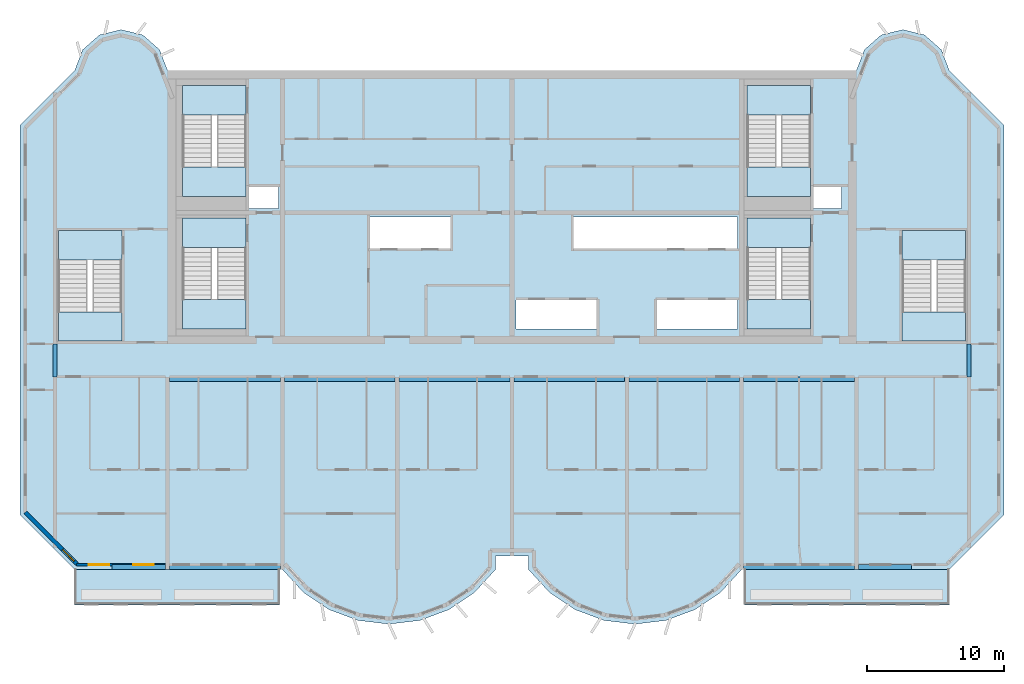
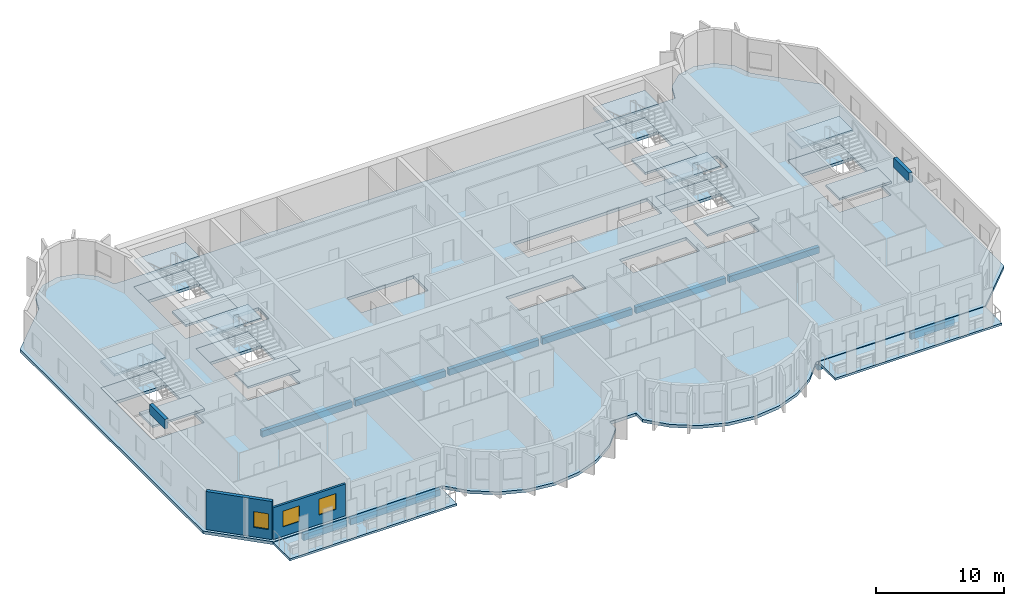
# One storey, part 1 of 11: 21 slabs, 12 beams, 3 windows, 2 walls, 3 openings, 6 elements without a shape of their own.
"""IFC4 building model written with IfcOpenShell, lengths in metres."""

from ifc_helpers import new_model, si_unit, direction, frame, frame_2d, origin, origin_2d, place, context, subcontext, project, spatial, polyline, rectangle, outline, extrude, source, transform, mapped, material, layer, layer_set, material_profile, profile_set, type_object, element, fill, aggregate, save


model = new_model("IFC4")

# Units and contexts
model_context = context("Model", 3, precision=1e-05, world=origin(), true_north=direction((0.0, 1.0)))
body_context = subcontext(model_context, "Body", "Model", "MODEL_VIEW")
ifc_project = project(units=[si_unit("LENGTHUNIT", "METRE"), si_unit("AREAUNIT", "SQUARE_METRE"), si_unit("VOLUMEUNIT", "CUBIC_METRE"), si_unit("PLANEANGLEUNIT", "RADIAN"), si_unit("MASSUNIT", "GRAM", prefix="KILO")], contexts=[model_context])

# Site, building, storey
site_placement = place(None, origin())
site = spatial("IfcSite", under=ifc_project, at=site_placement, CompositionType="ELEMENT")
building_placement = place(site_placement, origin())
building = spatial("IfcBuilding", under=site, at=building_placement, Name="Vanashikhar Sky Hotel", CompositionType="ELEMENT")
storey_placement = place(building_placement, frame((0.0, 0.0, 249.10009765625)))
storey = spatial("IfcBuildingStorey", under=building, at=storey_placement, Name="L60", CompositionType="ELEMENT", Elevation=249.10009765625)

# Beams
ifc_material_1 = material(Name="Concrete M50", Category="concrete")
ifc_material_profile_1 = material_profile(ifc_material_1, rectangle(XDim=0.300048828125, YDim=0.89990234375, at=origin_2d()))
ifc_profile_set_1 = profile_set([ifc_material_profile_1], Name="RC 300x900 beam Concrete M50")
beam_type_1 = type_object("IfcBeamType", Name="RC 300x900 beam Concrete M50", PredefinedType="LINTEL", material=ifc_profile_set_1)
shared_shape_1 = source(origin(), body_context, "Body", "SweptSolid", [
    extrude(rectangle(XDim=0.300048828125, YDim=0.89990234375, at=origin_2d()), origin(), (0.0, 0.0, 1.0), 2.39990234375),
])
for number, where, z_axis, x_axis, name in (
    (1, (16.949951171875, 19.60009765625, 3.169921875), (0.0, 1.0, 0.0), (-1.0, 0.0, 0.0), "LB-L60-XW03"),
    (2, (83.85009765625, 19.60009765625, 3.169921875), (0.0, 1.0, 0.0), (-1.0, 0.0, 0.0), "LB-L60-XW11"),
):
    element("IfcBeam", number, at=place(storey_placement, frame(where, z_axis=z_axis, x_axis=x_axis)), inside=storey, type_object=beam_type_1, Name=name, PredefinedType="LINTEL", context=body_context, shape_type="MappedRepresentation", body=[
        mapped(shared_shape_1, transform((0.0, 0.0, 0.0), scale=1.0)),
    ])
ifc_material_profile_2 = material_profile(ifc_material_1, rectangle(XDim=0.35009765625, YDim=0.60009765625, at=origin_2d()))
ifc_profile_set_2 = profile_set([ifc_material_profile_2], Name="RC 350x600 beam Concrete M50")
beam_type_2 = type_object("IfcBeamType", Name="RC 350x600 beam Concrete M50", PredefinedType="SPANDREL", material=ifc_profile_set_2)
shared_shape_2 = source(origin(), body_context, "Body", "SweptSolid", [
    extrude(rectangle(XDim=0.35009765625, YDim=0.60009765625, at=origin_2d()), origin(), (0.0, 0.0, 1.0), 8.099853515625),
])
for number, where, z_axis, x_axis, name in (
    (3, (25.35009765625, 5.675048828125, -0.580078125), (1.0, 0.0, 0.0), (0.0, 1.0, 0.0), "EB-L60-F01"),
    (4, (67.35009765625, 5.675048828125, -0.580078125), (1.0, 0.0, 0.0), (0.0, 1.0, 0.0), "EB-L60-F03"),
    (5, (25.35009765625, 19.425048828125, -0.580078125), (1.0, 0.0, 0.0), (0.0, 1.0, 0.0), "CB-L60-01"),
    (6, (50.550048828125, 19.425048828125, -0.580078125), (1.0, 0.0, 0.0), (0.0, 1.0, 0.0), "CB-L60-04"),
    (7, (67.35009765625, 19.425048828125, -0.580078125), (1.0, 0.0, 0.0), (0.0, 1.0, 0.0), "CB-L60-06"),
):
    element("IfcBeam", number, at=place(storey_placement, frame(where, z_axis=z_axis, x_axis=x_axis)), inside=storey, type_object=beam_type_2, Name=name, PredefinedType="SPANDREL", context=body_context, shape_type="MappedRepresentation", body=[
        mapped(shared_shape_2, transform((0.0, 0.0, 0.0), scale=1.0)),
    ])
ifc_material_profile_3 = material_profile(ifc_material_1, rectangle(XDim=0.35009765625, YDim=0.60009765625, at=origin_2d()))
ifc_profile_set_3 = profile_set([ifc_material_profile_3], Name="RC 350x600 cantilever beam Concrete M50")
beam_type_3 = type_object("IfcBeamType", Name="RC 350x600 cantilever beam Concrete M50", PredefinedType="SPANDREL", material=ifc_profile_set_3)
shared_shape_3 = source(origin(), body_context, "Body", "SweptSolid", [
    extrude(rectangle(XDim=0.35009765625, YDim=0.60009765625, at=origin_2d()), origin(), (0.0, 0.0, 1.0), 3.900146484375),
])
beam_1_placement = place(storey_placement, frame((21.14990234375, 5.675048828125, -0.580078125), z_axis=(1.0, 0.0, 0.0), x_axis=(0.0, 1.0, 0.0)))
element("IfcBeam", 8, at=beam_1_placement, inside=storey, type_object=beam_type_3, Name="EB-L60-F02", PredefinedType="SPANDREL", context=body_context, shape_type="MappedRepresentation", body=[
    mapped(shared_shape_3, transform((0.0, 0.0, 0.0), scale=1.0)),
])
shared_shape_4 = source(origin(), body_context, "Body", "SweptSolid", [
    extrude(rectangle(XDim=0.35009765625, YDim=0.60009765625, at=origin_2d()), origin(), (0.0, 0.0, 1.0), 3.89990234375),
])
beam_2_placement = place(storey_placement, frame((75.75, 5.675048828125, -0.580078125), z_axis=(1.0, 0.0, 0.0), x_axis=(0.0, 1.0, 0.0)))
element("IfcBeam", 9, at=beam_2_placement, inside=storey, type_object=beam_type_3, Name="EB-L60-F04", PredefinedType="SPANDREL", context=body_context, shape_type="MappedRepresentation", body=[
    mapped(shared_shape_4, transform((0.0, 0.0, 0.0), scale=1.0)),
])
shared_shape_5 = source(origin(), body_context, "Body", "SweptSolid", [
    extrude(rectangle(XDim=0.35009765625, YDim=0.60009765625, at=origin_2d()), origin(), (0.0, 0.0, 1.0), 8.10009765625),
])
for number, where, z_axis, x_axis, name in (
    (10, (33.75, 19.425048828125, -0.580078125), (1.0, 0.0, 0.0), (0.0, 1.0, 0.0), "CB-L60-02"),
    (11, (42.14990234375, 19.425048828125, -0.580078125), (1.0, 0.0, 0.0), (0.0, 1.0, 0.0), "CB-L60-03"),
    (12, (58.949951171875, 19.425048828125, -0.580078125), (1.0, 0.0, 0.0), (0.0, 1.0, 0.0), "CB-L60-05"),
):
    element("IfcBeam", number, at=place(storey_placement, frame(where, z_axis=z_axis, x_axis=x_axis)), inside=storey, type_object=beam_type_2, Name=name, PredefinedType="SPANDREL", context=body_context, shape_type="MappedRepresentation", body=[
        mapped(shared_shape_5, transform((0.0, 0.0, 0.0), scale=1.0)),
    ])

# Slabs
ifc_material_2 = material(Name="Concrete M40", Category="concrete")
ifc_layer_1 = layer(ifc_material_2, 0.280029296875)
ifc_layer_set_1 = layer_set([ifc_layer_1], Name="Floor slab 280 mm")
slab_type_1 = type_object("IfcSlabType", Name="Floor slab 280 mm", PredefinedType="FLOOR", material=ifc_layer_set_1)
shared_shape_6 = source(origin(), body_context, "Body", "SweptSolid", [
    extrude(outline(polyline([(49.199951171875, 5.5), (49.199951171875, 6.5), (51.60009765625, 6.5), (51.60009765625, 5.5), (53.133056640625, 3.825927734375), (55.01708984375, 2.55810546875), (57.14599609375, 1.76806640625), (59.39990234375, 1.5), (61.654052734375, 1.76806640625), (63.782958984375, 2.55810546875), (65.6669921875, 3.825927734375), (67.199951171875, 5.5), (82.39990234375, 5.5), (86.39990234375, 9.5), (86.39990234375, 38.0), (82.39990234375, 42.0), (81.81494140625, 43.527099609375), (80.587890625, 44.610107421875), (79.0, 45.0), (77.412109375, 44.610107421875), (76.18505859375, 43.527099609375), (75.60009765625, 42.0), (25.199951171875, 42.0), (24.614990234375, 43.527099609375), (23.387939453125, 44.610107421875), (21.800048828125, 45.0), (20.2119140625, 44.610107421875), (18.985107421875, 43.527099609375), (18.39990234375, 42.0), (14.39990234375, 38.0), (14.39990234375, 9.5), (18.39990234375, 5.5), (33.60009765625, 5.5), (35.133056640625, 3.825927734375), (37.01708984375, 2.55810546875), (39.14599609375, 1.76806640625), (41.39990234375, 1.5), (43.654052734375, 1.76806640625), (45.782958984375, 2.55810546875), (47.6669921875, 3.825927734375), (49.199951171875, 5.5)]), holes=[polyline([(33.300048828125, 33.60009765625), (31.050048828125, 33.60009765625), (31.050048828125, 31.89990234375), (33.300048828125, 31.89990234375), (33.300048828125, 33.60009765625)]), polyline([(39.89990234375, 31.300048828125), (39.89990234375, 29.0), (45.89990234375, 29.0), (45.89990234375, 31.300048828125), (39.89990234375, 31.300048828125)]), polyline([(50.699951171875, 25.199951171875), (50.699951171875, 23.10009765625), (56.699951171875, 23.10009765625), (56.699951171875, 25.199951171875), (50.699951171875, 25.199951171875)]), polyline([(66.89990234375, 29.0), (66.89990234375, 31.300048828125), (54.89990234375, 31.300048828125), (54.89990234375, 29.0), (66.89990234375, 29.0)]), polyline([(60.89990234375, 25.199951171875), (60.89990234375, 23.10009765625), (66.89990234375, 23.10009765625), (66.89990234375, 25.199951171875), (60.89990234375, 25.199951171875)]), polyline([(74.5, 33.60009765625), (72.35009765625, 33.60009765625), (72.35009765625, 31.89990234375), (74.5, 31.89990234375), (74.5, 33.60009765625)]), polyline([(30.949951171875, 23.10009765625), (30.949951171875, 31.199951171875), (26.300048828125, 31.199951171875), (26.300048828125, 23.10009765625), (30.949951171875, 23.10009765625)]), polyline([(72.25, 23.10009765625), (72.25, 31.199951171875), (67.60009765625, 31.199951171875), (67.60009765625, 23.10009765625), (72.25, 23.10009765625)]), polyline([(30.949951171875, 32.800048828125), (30.949951171875, 40.89990234375), (26.300048828125, 40.89990234375), (26.300048828125, 32.800048828125), (30.949951171875, 32.800048828125)]), polyline([(72.25, 32.800048828125), (72.25, 40.89990234375), (67.60009765625, 40.89990234375), (67.60009765625, 32.800048828125), (72.25, 32.800048828125)]), polyline([(83.60009765625, 22.199951171875), (83.60009765625, 30.300048828125), (78.949951171875, 30.300048828125), (78.949951171875, 22.199951171875), (83.60009765625, 22.199951171875)]), polyline([(21.85009765625, 22.199951171875), (21.85009765625, 30.300048828125), (17.199951171875, 30.300048828125), (17.199951171875, 22.199951171875), (21.85009765625, 22.199951171875)])]), origin(), (0.0, 0.0, 1.0), 0.280029296875),
])
slab_1_placement = place(storey_placement, frame((0.0, 0.0, -0.280029296875)))
element("IfcSlab", 13, at=slab_1_placement, inside=storey, type_object=slab_type_1, Name="Floor slab L60", PredefinedType="FLOOR", context=body_context, shape_type="MappedRepresentation", body=[
    mapped(shared_shape_6, transform((0.0, 0.0, 0.0), scale=1.0)),
])
ifc_layer_2 = layer(ifc_material_2, 0.199951171875)
ifc_layer_set_2 = layer_set([ifc_layer_2], Name="Balcony slab 200 mm")
slab_type_2 = type_object("IfcSlabType", Name="Balcony slab 200 mm", PredefinedType="USERDEFINED", material=ifc_layer_set_2)
shared_shape_7 = source(origin(), body_context, "Body", "SweptSolid", [
    extrude(outline(polyline([(18.39990234375, 2.89990234375), (33.39990234375, 2.89990234375), (33.39990234375, 5.5), (18.39990234375, 5.5), (18.39990234375, 2.89990234375)])), origin(), (0.0, 0.0, 1.0), 0.199951171875),
])
slab_2_placement = place(storey_placement, frame((0.0, 0.0, -0.25)))
element("IfcSlab", 14, at=slab_2_placement, inside=storey, type_object=slab_type_2, Name="Balcony slab L60 1", ObjectType="BALCONY", PredefinedType="USERDEFINED", context=body_context, shape_type="MappedRepresentation", body=[
    mapped(shared_shape_7, transform((0.0, 0.0, 0.0), scale=1.0)),
])
shared_shape_8 = source(origin(), body_context, "Body", "SweptSolid", [
    extrude(outline(polyline([(67.39990234375, 2.89990234375), (82.39990234375, 2.89990234375), (82.39990234375, 5.5), (67.39990234375, 5.5), (67.39990234375, 2.89990234375)])), origin(), (0.0, 0.0, 1.0), 0.199951171875),
])
slab_3_placement = place(storey_placement, frame((0.0, 0.0, -0.25)))
element("IfcSlab", 15, at=slab_3_placement, inside=storey, type_object=slab_type_2, Name="Balcony slab L60 2", ObjectType="BALCONY", PredefinedType="USERDEFINED", context=body_context, shape_type="MappedRepresentation", body=[
    mapped(shared_shape_8, transform((0.0, 0.0, 0.0), scale=1.0)),
])

# Stair, slabs
stair_type = type_object("IfcStairType", Name="Exit stair 2150", PredefinedType="DOUBLE_RETURN_STAIR", material=ifc_material_2)
stair_1_placement = place(storey_placement, origin())
stair_1 = element("IfcStair", 16, at=stair_1_placement, inside=storey, type_object=stair_type, Name="L60 Exit stair 1", PredefinedType="DOUBLE_RETURN_STAIR")
ifc_layer_3 = layer(ifc_material_2, 0.199951171875)
ifc_layer_set_3 = layer_set([ifc_layer_3], Name="Stair landing 200")
slab_type_3 = type_object("IfcSlabType", Name="Stair landing 200", PredefinedType="LANDING", material=ifc_layer_set_3)
shared_shape_9 = source(origin(), body_context, "Body", "SweptSolid", [
    extrude(outline(polyline([(30.949951171875, 29.050048828125), (30.949951171875, 31.199951171875), (26.300048828125, 31.199951171875), (26.300048828125, 29.050048828125), (30.949951171875, 29.050048828125)])), origin(), (0.0, 0.0, 1.0), 0.199951171875),
])
slab_4_placement = place(storey_placement, frame((0.0, 0.0, 2.39990234375)))
slab_4 = element("IfcSlab", 17, at=slab_4_placement, type_object=slab_type_3, Name="ST-C1 landing 2", PredefinedType="LANDING", context=body_context, shape_type="MappedRepresentation", body=[
    mapped(shared_shape_9, transform((0.0, 0.0, 0.0), scale=1.0)),
])
shared_shape_10 = source(origin(), body_context, "Body", "SweptSolid", [
    extrude(outline(polyline([(30.949951171875, 23.10009765625), (30.949951171875, 25.25), (26.300048828125, 25.25), (26.300048828125, 23.10009765625), (30.949951171875, 23.10009765625)])), origin(), (0.0, 0.0, 1.0), 0.199951171875),
])
slab_5_placement = place(storey_placement, frame((0.0, 0.0, 1.099853515625)))
slab_5 = element("IfcSlab", 18, at=slab_5_placement, type_object=slab_type_3, Name="ST-C1 landing 1", PredefinedType="LANDING", context=body_context, shape_type="MappedRepresentation", body=[
    mapped(shared_shape_10, transform((0.0, 0.0, 0.0), scale=1.0)),
])
aggregate(stair_1, [slab_5, slab_4])

# Slab
ifc_layer_4 = layer(ifc_material_2, 0.280029296875)
ifc_layer_set_4 = layer_set([ifc_layer_4], Name="Stair floor landing 280")
slab_type_4 = type_object("IfcSlabType", Name="Stair floor landing 280", PredefinedType="LANDING", material=ifc_layer_set_4)
shared_shape_11 = source(origin(), body_context, "Body", "SweptSolid", [
    extrude(outline(polyline([(30.949951171875, 29.050048828125), (30.949951171875, 31.199951171875), (26.300048828125, 31.199951171875), (26.300048828125, 29.050048828125), (30.949951171875, 29.050048828125)])), origin(), (0.0, 0.0, 1.0), 0.280029296875),
])
slab_6_placement = place(storey_placement, frame((0.0, 0.0, -0.280029296875)))
element("IfcSlab", 19, at=slab_6_placement, inside=storey, type_object=slab_type_4, Name="Exit stair 1 floor landing", PredefinedType="LANDING", context=body_context, shape_type="MappedRepresentation", body=[
    mapped(shared_shape_11, transform((0.0, 0.0, 0.0), scale=1.0)),
])

# Stair, slabs
stair_2_placement = place(storey_placement, origin())
stair_2 = element("IfcStair", 20, at=stair_2_placement, inside=storey, type_object=stair_type, Name="L60 Exit stair 2", PredefinedType="DOUBLE_RETURN_STAIR")
shared_shape_12 = source(origin(), body_context, "Body", "SweptSolid", [
    extrude(outline(polyline([(72.25, 29.050048828125), (72.25, 31.199951171875), (67.60009765625, 31.199951171875), (67.60009765625, 29.050048828125), (72.25, 29.050048828125)])), origin(), (0.0, 0.0, 1.0), 0.199951171875),
])
slab_7_placement = place(storey_placement, frame((0.0, 0.0, 2.39990234375)))
slab_7 = element("IfcSlab", 21, at=slab_7_placement, type_object=slab_type_3, Name="ST-C2 landing 2", PredefinedType="LANDING", context=body_context, shape_type="MappedRepresentation", body=[
    mapped(shared_shape_12, transform((0.0, 0.0, 0.0), scale=1.0)),
])
shared_shape_13 = source(origin(), body_context, "Body", "SweptSolid", [
    extrude(outline(polyline([(72.25, 23.10009765625), (72.25, 25.25), (67.60009765625, 25.25), (67.60009765625, 23.10009765625), (72.25, 23.10009765625)])), origin(), (0.0, 0.0, 1.0), 0.199951171875),
])
slab_8_placement = place(storey_placement, frame((0.0, 0.0, 1.099853515625)))
slab_8 = element("IfcSlab", 22, at=slab_8_placement, type_object=slab_type_3, Name="ST-C2 landing 1", PredefinedType="LANDING", context=body_context, shape_type="MappedRepresentation", body=[
    mapped(shared_shape_13, transform((0.0, 0.0, 0.0), scale=1.0)),
])
aggregate(stair_2, [slab_8, slab_7])

# Slab
shared_shape_14 = source(origin(), body_context, "Body", "SweptSolid", [
    extrude(outline(polyline([(72.25, 29.050048828125), (72.25, 31.199951171875), (67.60009765625, 31.199951171875), (67.60009765625, 29.050048828125), (72.25, 29.050048828125)])), origin(), (0.0, 0.0, 1.0), 0.280029296875),
])
slab_9_placement = place(storey_placement, frame((0.0, 0.0, -0.280029296875)))
element("IfcSlab", 23, at=slab_9_placement, inside=storey, type_object=slab_type_4, Name="Exit stair 2 floor landing", PredefinedType="LANDING", context=body_context, shape_type="MappedRepresentation", body=[
    mapped(shared_shape_14, transform((0.0, 0.0, 0.0), scale=1.0)),
])

# Stair, slabs
stair_3_placement = place(storey_placement, origin())
stair_3 = element("IfcStair", 24, at=stair_3_placement, inside=storey, type_object=stair_type, Name="L60 Exit stair 3", PredefinedType="DOUBLE_RETURN_STAIR")
shared_shape_15 = source(origin(), body_context, "Body", "SweptSolid", [
    extrude(outline(polyline([(21.85009765625, 28.14990234375), (21.85009765625, 30.300048828125), (17.199951171875, 30.300048828125), (17.199951171875, 28.14990234375), (21.85009765625, 28.14990234375)])), origin(), (0.0, 0.0, 1.0), 0.199951171875),
])
slab_10_placement = place(storey_placement, frame((0.0, 0.0, 2.39990234375)))
slab_10 = element("IfcSlab", 25, at=slab_10_placement, type_object=slab_type_3, Name="ST-W landing 2", PredefinedType="LANDING", context=body_context, shape_type="MappedRepresentation", body=[
    mapped(shared_shape_15, transform((0.0, 0.0, 0.0), scale=1.0)),
])
shared_shape_16 = source(origin(), body_context, "Body", "SweptSolid", [
    extrude(outline(polyline([(21.85009765625, 22.199951171875), (21.85009765625, 24.35009765625), (17.199951171875, 24.35009765625), (17.199951171875, 22.199951171875), (21.85009765625, 22.199951171875)])), origin(), (0.0, 0.0, 1.0), 0.199951171875),
])
slab_11_placement = place(storey_placement, frame((0.0, 0.0, 1.099853515625)))
slab_11 = element("IfcSlab", 26, at=slab_11_placement, type_object=slab_type_3, Name="ST-W landing 1", PredefinedType="LANDING", context=body_context, shape_type="MappedRepresentation", body=[
    mapped(shared_shape_16, transform((0.0, 0.0, 0.0), scale=1.0)),
])
aggregate(stair_3, [slab_11, slab_10])

# Slab
shared_shape_17 = source(origin(), body_context, "Body", "SweptSolid", [
    extrude(outline(polyline([(21.85009765625, 28.14990234375), (21.85009765625, 30.300048828125), (17.199951171875, 30.300048828125), (17.199951171875, 28.14990234375), (21.85009765625, 28.14990234375)])), origin(), (0.0, 0.0, 1.0), 0.280029296875),
])
slab_12_placement = place(storey_placement, frame((0.0, 0.0, -0.280029296875)))
element("IfcSlab", 27, at=slab_12_placement, inside=storey, type_object=slab_type_4, Name="Exit stair 3 floor landing", PredefinedType="LANDING", context=body_context, shape_type="MappedRepresentation", body=[
    mapped(shared_shape_17, transform((0.0, 0.0, 0.0), scale=1.0)),
])

# Stair, slabs
stair_4_placement = place(storey_placement, origin())
stair_4 = element("IfcStair", 28, at=stair_4_placement, inside=storey, type_object=stair_type, Name="L60 Exit stair 4", PredefinedType="DOUBLE_RETURN_STAIR")
shared_shape_18 = source(origin(), body_context, "Body", "SweptSolid", [
    extrude(outline(polyline([(83.60009765625, 28.14990234375), (83.60009765625, 30.300048828125), (78.949951171875, 30.300048828125), (78.949951171875, 28.14990234375), (83.60009765625, 28.14990234375)])), origin(), (0.0, 0.0, 1.0), 0.199951171875),
])
slab_13_placement = place(storey_placement, frame((0.0, 0.0, 2.39990234375)))
slab_13 = element("IfcSlab", 29, at=slab_13_placement, type_object=slab_type_3, Name="ST-E landing 2", PredefinedType="LANDING", context=body_context, shape_type="MappedRepresentation", body=[
    mapped(shared_shape_18, transform((0.0, 0.0, 0.0), scale=1.0)),
])
shared_shape_19 = source(origin(), body_context, "Body", "SweptSolid", [
    extrude(outline(polyline([(83.60009765625, 22.199951171875), (83.60009765625, 24.35009765625), (78.949951171875, 24.35009765625), (78.949951171875, 22.199951171875), (83.60009765625, 22.199951171875)])), origin(), (0.0, 0.0, 1.0), 0.199951171875),
])
slab_14_placement = place(storey_placement, frame((0.0, 0.0, 1.099853515625)))
slab_14 = element("IfcSlab", 30, at=slab_14_placement, type_object=slab_type_3, Name="ST-E landing 1", PredefinedType="LANDING", context=body_context, shape_type="MappedRepresentation", body=[
    mapped(shared_shape_19, transform((0.0, 0.0, 0.0), scale=1.0)),
])
aggregate(stair_4, [slab_14, slab_13])

# Slab
shared_shape_20 = source(origin(), body_context, "Body", "SweptSolid", [
    extrude(outline(polyline([(83.60009765625, 28.14990234375), (83.60009765625, 30.300048828125), (78.949951171875, 30.300048828125), (78.949951171875, 28.14990234375), (83.60009765625, 28.14990234375)])), origin(), (0.0, 0.0, 1.0), 0.280029296875),
])
slab_15_placement = place(storey_placement, frame((0.0, 0.0, -0.280029296875)))
element("IfcSlab", 31, at=slab_15_placement, inside=storey, type_object=slab_type_4, Name="Exit stair 4 floor landing", PredefinedType="LANDING", context=body_context, shape_type="MappedRepresentation", body=[
    mapped(shared_shape_20, transform((0.0, 0.0, 0.0), scale=1.0)),
])

# Stair, slabs
stair_5_placement = place(storey_placement, origin())
stair_5 = element("IfcStair", 32, at=stair_5_placement, inside=storey, type_object=stair_type, Name="L60 Exit stair 5", PredefinedType="DOUBLE_RETURN_STAIR")
shared_shape_21 = source(origin(), body_context, "Body", "SweptSolid", [
    extrude(outline(polyline([(30.949951171875, 38.75), (30.949951171875, 40.89990234375), (26.300048828125, 40.89990234375), (26.300048828125, 38.75), (30.949951171875, 38.75)])), origin(), (0.0, 0.0, 1.0), 0.199951171875),
])
slab_16_placement = place(storey_placement, frame((0.0, 0.0, 2.39990234375)))
slab_16 = element("IfcSlab", 33, at=slab_16_placement, type_object=slab_type_3, Name="ST-C3 landing 2", PredefinedType="LANDING", context=body_context, shape_type="MappedRepresentation", body=[
    mapped(shared_shape_21, transform((0.0, 0.0, 0.0), scale=1.0)),
])
shared_shape_22 = source(origin(), body_context, "Body", "SweptSolid", [
    extrude(outline(polyline([(30.949951171875, 32.800048828125), (30.949951171875, 34.949951171875), (26.300048828125, 34.949951171875), (26.300048828125, 32.800048828125), (30.949951171875, 32.800048828125)])), origin(), (0.0, 0.0, 1.0), 0.199951171875),
])
slab_17_placement = place(storey_placement, frame((0.0, 0.0, 1.099853515625)))
slab_17 = element("IfcSlab", 34, at=slab_17_placement, type_object=slab_type_3, Name="ST-C3 landing 1", PredefinedType="LANDING", context=body_context, shape_type="MappedRepresentation", body=[
    mapped(shared_shape_22, transform((0.0, 0.0, 0.0), scale=1.0)),
])
aggregate(stair_5, [slab_17, slab_16])

# Slab
shared_shape_23 = source(origin(), body_context, "Body", "SweptSolid", [
    extrude(outline(polyline([(30.949951171875, 38.75), (30.949951171875, 40.89990234375), (26.300048828125, 40.89990234375), (26.300048828125, 38.75), (30.949951171875, 38.75)])), origin(), (0.0, 0.0, 1.0), 0.280029296875),
])
slab_18_placement = place(storey_placement, frame((0.0, 0.0, -0.280029296875)))
element("IfcSlab", 35, at=slab_18_placement, inside=storey, type_object=slab_type_4, Name="Exit stair 5 floor landing", PredefinedType="LANDING", context=body_context, shape_type="MappedRepresentation", body=[
    mapped(shared_shape_23, transform((0.0, 0.0, 0.0), scale=1.0)),
])

# Stair, slabs
stair_6_placement = place(storey_placement, origin())
stair_6 = element("IfcStair", 36, at=stair_6_placement, inside=storey, type_object=stair_type, Name="L60 Exit stair 6", PredefinedType="DOUBLE_RETURN_STAIR")
shared_shape_24 = source(origin(), body_context, "Body", "SweptSolid", [
    extrude(outline(polyline([(72.25, 38.75), (72.25, 40.89990234375), (67.60009765625, 40.89990234375), (67.60009765625, 38.75), (72.25, 38.75)])), origin(), (0.0, 0.0, 1.0), 0.199951171875),
])
slab_19_placement = place(storey_placement, frame((0.0, 0.0, 2.39990234375)))
slab_19 = element("IfcSlab", 37, at=slab_19_placement, type_object=slab_type_3, Name="ST-C4 landing 2", PredefinedType="LANDING", context=body_context, shape_type="MappedRepresentation", body=[
    mapped(shared_shape_24, transform((0.0, 0.0, 0.0), scale=1.0)),
])
shared_shape_25 = source(origin(), body_context, "Body", "SweptSolid", [
    extrude(outline(polyline([(72.25, 32.800048828125), (72.25, 34.949951171875), (67.60009765625, 34.949951171875), (67.60009765625, 32.800048828125), (72.25, 32.800048828125)])), origin(), (0.0, 0.0, 1.0), 0.199951171875),
])
slab_20_placement = place(storey_placement, frame((0.0, 0.0, 1.099853515625)))
slab_20 = element("IfcSlab", 38, at=slab_20_placement, type_object=slab_type_3, Name="ST-C4 landing 1", PredefinedType="LANDING", context=body_context, shape_type="MappedRepresentation", body=[
    mapped(shared_shape_25, transform((0.0, 0.0, 0.0), scale=1.0)),
])
aggregate(stair_6, [slab_20, slab_19])

# Slab
shared_shape_26 = source(origin(), body_context, "Body", "SweptSolid", [
    extrude(outline(polyline([(72.25, 38.75), (72.25, 40.89990234375), (67.60009765625, 40.89990234375), (67.60009765625, 38.75), (72.25, 38.75)])), origin(), (0.0, 0.0, 1.0), 0.280029296875),
])
slab_21_placement = place(storey_placement, frame((0.0, 0.0, -0.280029296875)))
element("IfcSlab", 39, at=slab_21_placement, inside=storey, type_object=slab_type_4, Name="Exit stair 6 floor landing", PredefinedType="LANDING", context=body_context, shape_type="MappedRepresentation", body=[
    mapped(shared_shape_26, transform((0.0, 0.0, 0.0), scale=1.0)),
])

# Wall, openings, windows
ifc_layer_5 = layer(ifc_material_1, 0.199951171875)
ifc_layer_set_5 = layer_set([ifc_layer_5], Name="Front window wall 200")
wall_type_1 = type_object("IfcWallType", Name="Front window wall 200", PredefinedType="SOLIDWALL", material=ifc_layer_set_5)
shared_shape_27 = source(origin(), body_context, "Body", "SweptSolid", [
    extrude(rectangle(XDim=6.505126953125, YDim=0.199951171875, at=frame_2d((3.25244140625, 0.0))), origin(), (0.0, 0.0, 1.0), 3.02001953125),
])
wall_1_placement = place(storey_placement, frame((18.544921875, 5.85009765625, 0.0), z_axis=(0.0, 0.0, 1.0), x_axis=(1.0, 0.0, 0.0)))
wall_1 = element("IfcWall", 40, at=wall_1_placement, inside=storey, type_object=wall_type_1, Name="Front window wall", PredefinedType="SOLIDWALL", context=body_context, shape_type="MappedRepresentation", body=[
    mapped(shared_shape_27, transform((0.0, 0.0, 0.0), scale=1.0)),
])
shared_shape_28 = source(origin(), body_context, "Body", "SweptSolid", [
    extrude(rectangle(XDim=1.5, YDim=1.5, at=frame_2d((0.75, 0.75))), frame((0.0, 0.10986328125, 0.0), z_axis=(0.0, -1.0, 0.0), x_axis=(1.0, 0.0, 0.0)), (0.0, 0.0, 1.0), 0.219970703125),
])
opening_1_placement = place(wall_1_placement, frame((0.876220703125, 0.0, 0.89990234375)))
opening_1 = element("IfcOpeningElement", 41, at=opening_1_placement, cuts=wall_1, Name="Opening WN-1", PredefinedType="OPENING", context=body_context, shape_type="MappedRepresentation", body=[
    mapped(shared_shape_28, transform((0.0, 0.0, 0.0), scale=1.0)),
])
opening_2_placement = place(wall_1_placement, frame((4.128662109375, 0.0, 0.89990234375)))
opening_2 = element("IfcOpeningElement", 42, at=opening_2_placement, cuts=wall_1, Name="Opening WN-1", PredefinedType="OPENING", context=body_context, shape_type="MappedRepresentation", body=[
    mapped(shared_shape_28, transform((0.0, 0.0, 0.0), scale=1.0)),
])
ifc_material_3 = material(Name="Glass", Category="glass")
window_type_1 = type_object("IfcWindowType", Name="Window 1500 x 1500", PartitioningType="SINGLE_PANEL", PredefinedType="WINDOW", material=ifc_material_3)
shared_shape_29 = source(origin(), body_context, "Body", "SweptSolid", [
    extrude(rectangle(XDim=1.5, YDim=1.5, at=frame_2d((0.75, 0.75))), frame((0.0, 0.030029296875, 0.0), z_axis=(0.0, -1.0, 0.0), x_axis=(1.0, 0.0, 0.0)), (0.0, 0.0, 1.0), 0.06005859375),
])
window_1_placement = place(opening_1_placement, origin())
window_1 = element("IfcWindow", 43, at=window_1_placement, inside=storey, type_object=window_type_1, Name="Window WN-1", OverallHeight=1.5, OverallWidth=1.5, PartitioningType="SINGLE_PANEL", PredefinedType="WINDOW", context=body_context, shape_type="MappedRepresentation", body=[
    mapped(shared_shape_29, transform((0.0, 0.0, 0.0), scale=1.0)),
])
fill(opening_1, window_1)
window_2_placement = place(opening_2_placement, origin())
window_2 = element("IfcWindow", 44, at=window_2_placement, inside=storey, type_object=window_type_1, Name="Window WN-1", OverallHeight=1.5, OverallWidth=1.5, PartitioningType="SINGLE_PANEL", PredefinedType="WINDOW", context=body_context, shape_type="MappedRepresentation", body=[
    mapped(shared_shape_29, transform((0.0, 0.0, 0.0), scale=1.0)),
])
fill(opening_2, window_2)

# Wall, opening, window
ifc_layer_6 = layer(ifc_material_1, 0.300048828125)
ifc_layer_set_6 = layer_set([ifc_layer_6], Name="Lobe wall 300")
wall_type_2 = type_object("IfcWallType", Name="Lobe wall 300", PredefinedType="SOLIDWALL", material=ifc_layer_set_6)
shared_shape_30 = source(origin(), body_context, "Body", "SweptSolid", [
    extrude(rectangle(XDim=5.32568359375, YDim=0.300048828125, at=frame_2d((2.662841796875, 0.0))), origin(), (0.0, 0.0, 1.0), 3.619873046875),
])
wall_2_placement = place(storey_placement, frame((14.800048828125, 9.665771484375, 0.0), z_axis=(0.0, 0.0, 1.0), x_axis=(0.707083859269, -0.707129702361, 0.0)))
wall_2 = element("IfcWall", 45, at=wall_2_placement, inside=storey, type_object=wall_type_2, Name="Corner wall", PredefinedType="SOLIDWALL", context=body_context, shape_type="MappedRepresentation", body=[
    mapped(shared_shape_30, transform((0.0, 0.0, 0.0), scale=1.0)),
])
shared_shape_31 = source(origin(), body_context, "Body", "SweptSolid", [
    extrude(rectangle(XDim=1.199951171875, YDim=1.5, at=frame_2d((0.60009765625, 0.75))), frame((0.0, 0.16015625, 0.0), z_axis=(0.0, -1.0, 0.0), x_axis=(1.0, 0.0, 0.0)), (0.0, 0.0, 1.0), 0.320068359375),
])
opening_3_placement = place(wall_2_placement, frame((3.8330078125, 0.0, 0.89990234375)))
opening_3 = element("IfcOpeningElement", 46, at=opening_3_placement, cuts=wall_2, Name="Opening WN-3", PredefinedType="OPENING", context=body_context, shape_type="MappedRepresentation", body=[
    mapped(shared_shape_31, transform((0.0, 0.0, 0.0), scale=1.0)),
])
window_type_2 = type_object("IfcWindowType", Name="Corridor end window 1200 x 1500", PartitioningType="SINGLE_PANEL", PredefinedType="WINDOW", material=ifc_material_3)
shared_shape_32 = source(origin(), body_context, "Body", "SweptSolid", [
    extrude(rectangle(XDim=1.199951171875, YDim=1.5, at=frame_2d((0.60009765625, 0.75))), frame((0.0, 0.030029296875, 0.0), z_axis=(0.0, -1.0, 0.0), x_axis=(1.0, 0.0, 0.0)), (0.0, 0.0, 1.0), 0.06005859375),
])
window_3_placement = place(opening_3_placement, origin())
window_3 = element("IfcWindow", 47, at=window_3_placement, inside=storey, type_object=window_type_2, Name="Window WN-3", OverallHeight=1.5, OverallWidth=1.199951171875, PartitioningType="SINGLE_PANEL", PredefinedType="WINDOW", context=body_context, shape_type="MappedRepresentation", body=[
    mapped(shared_shape_32, transform((0.0, 0.0, 0.0), scale=1.0)),
])
fill(opening_3, window_3)

save(model, "model.ifc")
